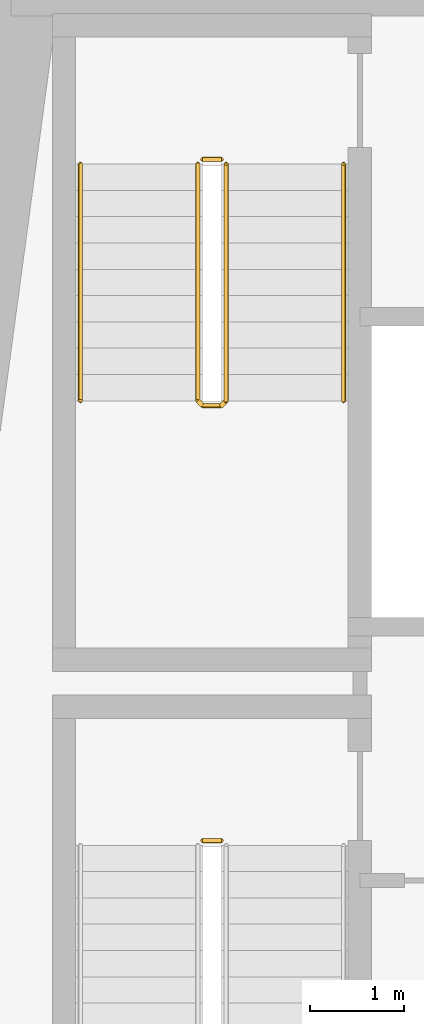
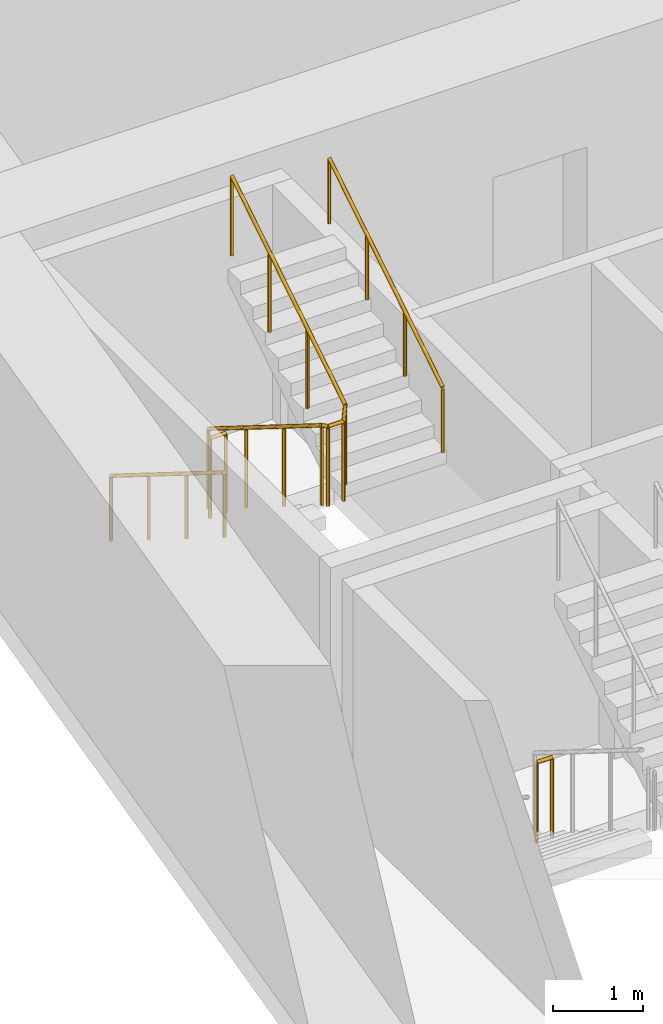
# One storey, part 9 of 12: 5 railings.
"""IFC4 building model written with IfcOpenShell, lengths in metres."""

from ifc_helpers import new_model, si_unit, direction, frame, origin, origin_2d, place, context, subcontext, project, spatial, circle, extrude, material, type_object, element, save


model = new_model("IFC4")

# Units and contexts
model_context = context("Model", 3, precision=1e-05, world=origin(), true_north=direction((0.0, 1.0)))
body_context = subcontext(model_context, "Body", "Model", "MODEL_VIEW")
ifc_project = project(units=[si_unit("LENGTHUNIT", "METRE"), si_unit("AREAUNIT", "SQUARE_METRE"), si_unit("VOLUMEUNIT", "CUBIC_METRE"), si_unit("PLANEANGLEUNIT", "RADIAN"), si_unit("MASSUNIT", "GRAM", prefix="KILO")], contexts=[model_context])

# Site, building, storey
site_placement = place(None, origin())
site = spatial("IfcSite", under=ifc_project, at=site_placement, CompositionType="ELEMENT")
building_placement = place(site_placement, origin())
building = spatial("IfcBuilding", under=site, at=building_placement, Name="Candeia Pilgrim Tower and Theatre", CompositionType="ELEMENT")
storey_placement = place(building_placement, frame((0.0, 0.0, 53.0)))
storey = spatial("IfcBuildingStorey", under=building, at=storey_placement, Name="L10", CompositionType="ELEMENT", Elevation=53.0)

# Railings
ifc_material_1 = material(Name="Stainless steel balustrade", Category="steel")
railing_type_1 = type_object("IfcRailingType", Name="RL-GUARD-1100", PredefinedType="GUARDRAIL", material=ifc_material_1)
railing_1_placement = place(storey_placement, frame((91.152099609375, 122.52490234375, 0.0)))
element("IfcRailing", 1, at=railing_1_placement, inside=storey, type_object=railing_type_1, Name="L10 ST1 stair guard 2", PredefinedType="GUARDRAIL", context=body_context, shape_type="SweptSolid", body=[
    extrude(circle(Radius=0.02392578125, at=origin_2d()), frame((0.0, 0.0, 1.076171875), z_axis=(1.0, 0.0, 0.0), x_axis=(0.0, 1.0, 0.0)), (0.0, 0.0, 1.0), 0.199951171875),
    extrude(circle(Radius=0.02099609375, at=origin_2d()), origin(), (0.0, 0.0, 1.0), 1.052001953125),
    extrude(circle(Radius=0.02099609375, at=origin_2d()), frame((0.199951171875, 0.0, 0.0)), (0.0, 0.0, 1.0), 1.052001953125),
])
railing_2_placement = place(storey_placement, frame((91.10205078125, 129.72509765625, 0.175048828125)))
element("IfcRailing", 2, at=railing_2_placement, inside=storey, type_object=railing_type_1, Name="L10 ST2 stair guard 1", PredefinedType="GUARDRAIL", context=body_context, shape_type="SweptSolid", body=[
    extrude(circle(Radius=0.02392578125, at=origin_2d()), frame((0.0, 0.0, 1.076171875), z_axis=(0.0, -0.848007534815, 0.529984170421), x_axis=(1.0, 0.0, 0.0)), (0.0, 0.0, 1.0), 2.9716796875),
    extrude(circle(Radius=0.02392578125, at=origin_2d()), frame((0.0, -2.52001953125, 2.65087890625), z_axis=(0.707106781187, -0.707106781187, 0.0), x_axis=(0.707106781187, 0.707106781187, 0.0)), (0.0, 0.0, 1.0), 0.07080078125),
    extrude(circle(Radius=0.02392578125, at=origin_2d()), frame((0.050048828125, -2.570068359375, 2.65087890625), z_axis=(1.0, 0.0, 0.0), x_axis=(0.0, 1.0, 0.0)), (0.0, 0.0, 1.0), 0.199951171875),
    extrude(circle(Radius=0.02392578125, at=origin_2d()), frame((0.25, -2.570068359375, 2.65087890625), z_axis=(0.265065253269, 0.265065253269, 0.927081885822), x_axis=(-0.707106781187, 0.707106781187, 0.0)), (0.0, 0.0, 1.0), 0.188720703125),
    extrude(circle(Radius=0.02392578125, at=origin_2d()), frame((0.300048828125, -2.52001953125, 2.826171875), z_axis=(0.0, 0.848007534815, 0.529984170421), x_axis=(-1.0, 0.0, 0.0)), (0.0, 0.0, 1.0), 2.9716796875),
    extrude(circle(Radius=0.02099609375, at=origin_2d()), origin(), (0.0, 0.0, 1.0), 1.052001953125),
    extrude(circle(Radius=0.02099609375, at=origin_2d()), frame((0.0, -0.840087890625, 0.52490234375)), (0.0, 0.0, 1.0), 1.052001953125),
    extrude(circle(Radius=0.02099609375, at=origin_2d()), frame((0.0, -1.679931640625, 1.050048828125)), (0.0, 0.0, 1.0), 1.052001953125),
    extrude(circle(Radius=0.02099609375, at=origin_2d()), frame((0.0, -2.52001953125, 1.574951171875)), (0.0, 0.0, 1.0), 1.052001953125),
    extrude(circle(Radius=0.02099609375, at=origin_2d()), frame((0.050048828125, -2.570068359375, 1.574951171875)), (0.0, 0.0, 1.0), 1.052001953125),
    extrude(circle(Radius=0.02099609375, at=origin_2d()), frame((0.25, -2.570068359375, 1.574951171875)), (0.0, 0.0, 1.0), 1.052001953125),
    extrude(circle(Radius=0.02099609375, at=origin_2d()), frame((0.300048828125, -2.52001953125, 1.75)), (0.0, 0.0, 1.0), 1.052001953125),
    extrude(circle(Radius=0.02099609375, at=origin_2d()), frame((0.300048828125, -1.679931640625, 2.27490234375)), (0.0, 0.0, 1.0), 1.052001953125),
    extrude(circle(Radius=0.02099609375, at=origin_2d()), frame((0.300048828125, -0.840087890625, 2.800048828125)), (0.0, 0.0, 1.0), 1.052001953125),
    extrude(circle(Radius=0.02099609375, at=origin_2d()), frame((0.300048828125, 0.0, 3.324951171875)), (0.0, 0.0, 1.0), 1.052001953125),
])
railing_3_placement = place(storey_placement, frame((91.152099609375, 129.77490234375, 0.0)))
element("IfcRailing", 3, at=railing_3_placement, inside=storey, type_object=railing_type_1, Name="L10 ST2 stair guard 2", PredefinedType="GUARDRAIL", context=body_context, shape_type="SweptSolid", body=[
    extrude(circle(Radius=0.02392578125, at=origin_2d()), frame((0.0, 0.0, 1.076171875), z_axis=(1.0, 0.0, 0.0), x_axis=(0.0, 1.0, 0.0)), (0.0, 0.0, 1.0), 0.199951171875),
    extrude(circle(Radius=0.02099609375, at=origin_2d()), origin(), (0.0, 0.0, 1.0), 1.052001953125),
    extrude(circle(Radius=0.02099609375, at=origin_2d()), frame((0.199951171875, 0.0, 0.0)), (0.0, 0.0, 1.0), 1.052001953125),
])
ifc_material_2 = material(Name="Stainless steel handrail", Category="steel")
railing_type_2 = type_object("IfcRailingType", Name="RL-HANDRAIL-900", PredefinedType="HANDRAIL", material=ifc_material_2)
railing_4_placement = place(storey_placement, frame((89.85205078125, 129.72509765625, 0.175048828125)))
element("IfcRailing", 4, at=railing_4_placement, inside=storey, type_object=railing_type_2, Name="L10 ST2 stair handrail 1", PredefinedType="HANDRAIL", context=body_context, shape_type="SweptSolid", body=[
    extrude(circle(Radius=0.02392578125, at=origin_2d()), frame((0.0, 0.0, 0.8759765625), z_axis=(0.0, -0.848007534815, 0.529984170421), x_axis=(1.0, 0.0, 0.0)), (0.0, 0.0, 1.0), 2.9716796875),
    extrude(circle(Radius=0.02099609375, at=origin_2d()), origin(), (0.0, 0.0, 1.0), 0.851806640625),
    extrude(circle(Radius=0.02099609375, at=origin_2d()), frame((0.0, -0.840087890625, 0.52490234375)), (0.0, 0.0, 1.0), 0.851806640625),
    extrude(circle(Radius=0.02099609375, at=origin_2d()), frame((0.0, -1.679931640625, 1.050048828125)), (0.0, 0.0, 1.0), 0.851806640625),
    extrude(circle(Radius=0.02099609375, at=origin_2d()), frame((0.0, -2.52001953125, 1.574951171875)), (0.0, 0.0, 1.0), 0.851806640625),
])
railing_5_placement = place(storey_placement, frame((92.652099609375, 127.205078125, 1.925048828125)))
element("IfcRailing", 5, at=railing_5_placement, inside=storey, type_object=railing_type_2, Name="L10 ST2 stair handrail 2", PredefinedType="HANDRAIL", context=body_context, shape_type="SweptSolid", body=[
    extrude(circle(Radius=0.02392578125, at=origin_2d()), frame((0.0, 0.0, 0.8759765625), z_axis=(0.0, 0.848007534815, 0.529984170421), x_axis=(-1.0, 0.0, 0.0)), (0.0, 0.0, 1.0), 2.9716796875),
    extrude(circle(Radius=0.02099609375, at=origin_2d()), origin(), (0.0, 0.0, 1.0), 0.851806640625),
    extrude(circle(Radius=0.02099609375, at=origin_2d()), frame((0.0, 0.840087890625, 0.52490234375)), (0.0, 0.0, 1.0), 0.851806640625),
    extrude(circle(Radius=0.02099609375, at=origin_2d()), frame((0.0, 1.679931640625, 1.050048828125)), (0.0, 0.0, 1.0), 0.851806640625),
    extrude(circle(Radius=0.02099609375, at=origin_2d()), frame((0.0, 2.52001953125, 1.574951171875)), (0.0, 0.0, 1.0), 0.851806640625),
])

save(model, "model.ifc")
